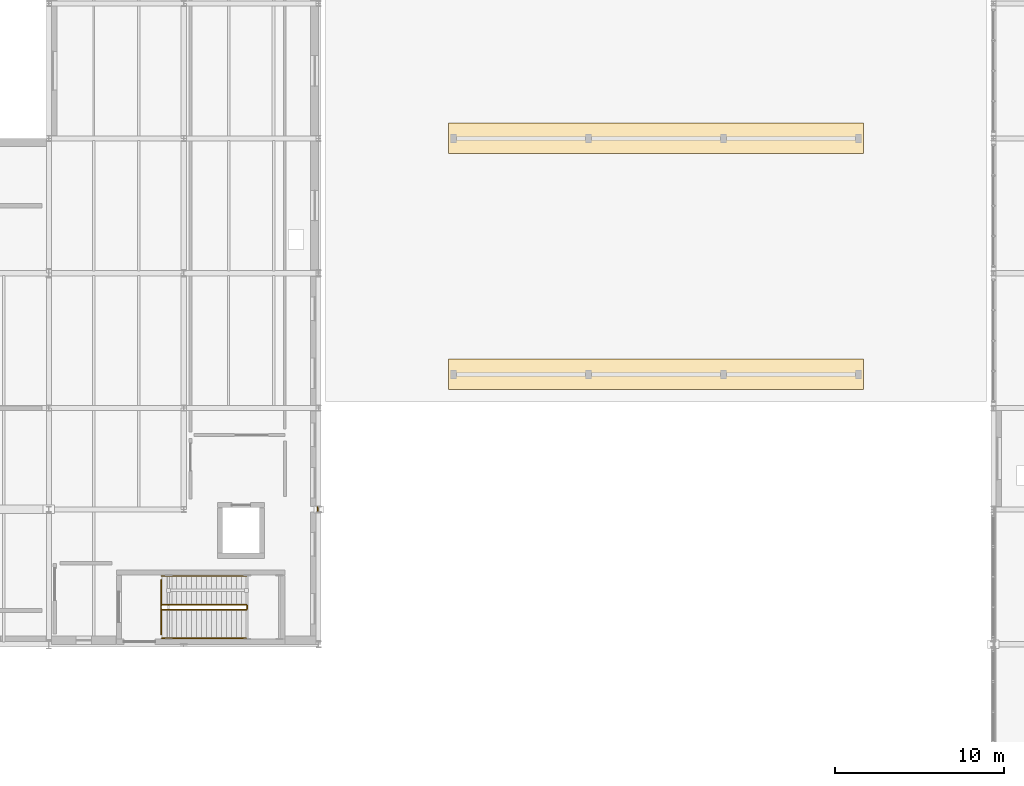
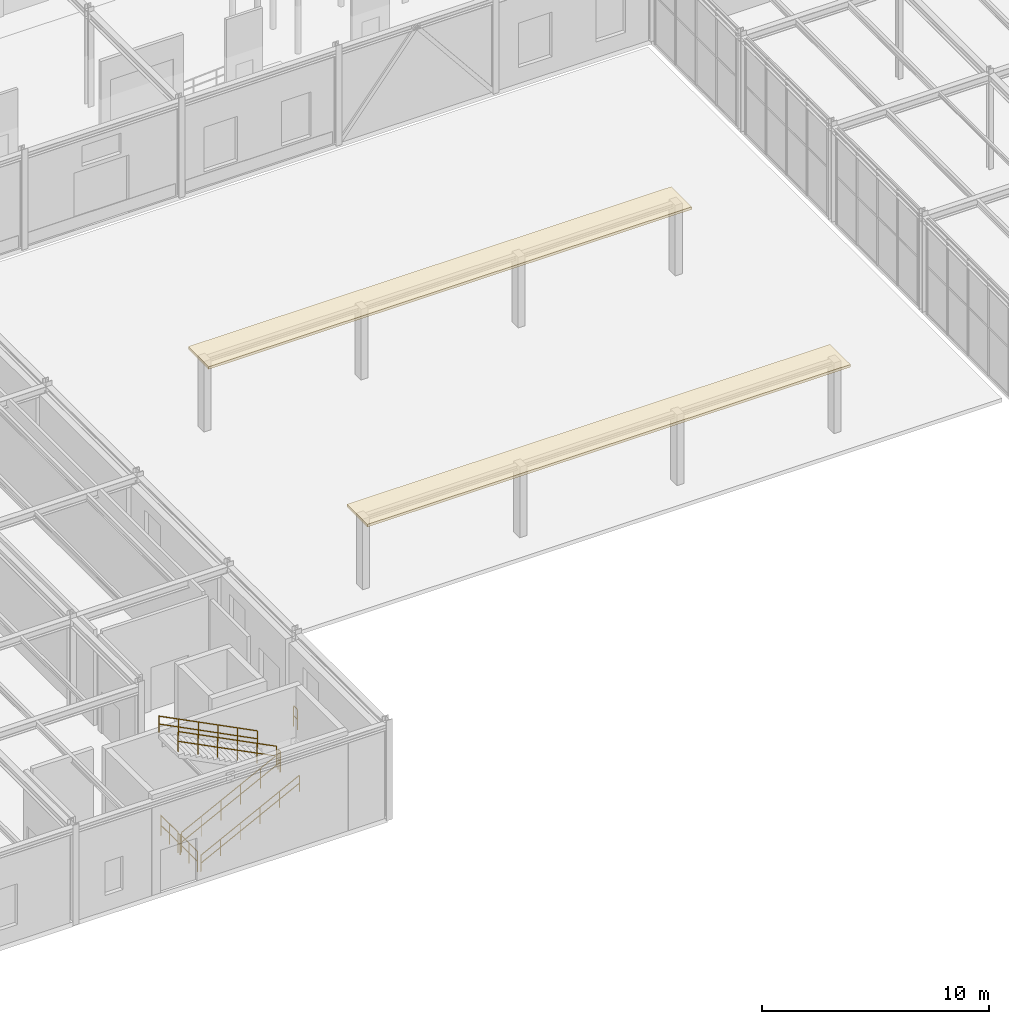
# One storey, part 110 of 129: 9 railings, 2 coverings.
"""IFC4 building model written with IfcOpenShell, lengths in metres."""

from ifc_helpers import new_model, si_unit, direction, frame, origin, origin_2d, place, context, subcontext, project, spatial, rectangle, circle, extrude, material, layer, layer_set, type_object, element, save


model = new_model("IFC4")

# Units and contexts
model_context = context("Model", 3, precision=1e-05, world=origin(), true_north=direction((0.0, 1.0)))
body_context = subcontext(model_context, "Body", "Model", "MODEL_VIEW")
ifc_project = project(units=[si_unit("LENGTHUNIT", "METRE"), si_unit("AREAUNIT", "SQUARE_METRE"), si_unit("VOLUMEUNIT", "CUBIC_METRE"), si_unit("PLANEANGLEUNIT", "RADIAN"), si_unit("MASSUNIT", "GRAM", prefix="KILO")], contexts=[model_context])

# Site, building, storey
site_placement = place(None, origin())
site = spatial("IfcSite", under=ifc_project, at=site_placement, CompositionType="ELEMENT")
building_placement = place(site_placement, origin())
building = spatial("IfcBuilding", under=site, at=building_placement, Name="Sundkrona Museum", CompositionType="ELEMENT")
storey_placement = place(building_placement, origin())
storey = spatial("IfcBuildingStorey", under=building, at=storey_placement, Name="L00", CompositionType="ELEMENT", Elevation=0.0)

# Coverings
ifc_material_1 = material(Name="Frost-Resistant Vitrified Stoneware Mosaic Cladding", Category="masonry")
ifc_layer = layer(ifc_material_1, 0.044921875)
ifc_layer_set = layer_set([ifc_layer], Name="Frost-Resistant Vitrified Stoneware Mosaic Cladding")
covering_type = type_object("IfcCoveringType", Name="COV-CLD-MOS", PredefinedType="CLADDING", material=ifc_layer_set)
for number, where, z_axis, x_axis, name in (
    (1, (60.0, 48.0, 3.80029296875), (0.0, 0.0, 1.0), (1.0, 0.0, 0.0), "Courtyard Cloister Colonnade Canopy CLN"),
    (2, (60.0, 62.0, 3.80029296875), (0.0, 0.0, 1.0), (1.0, 0.0, 0.0), "Courtyard Cloister Colonnade Canopy CLS"),
):
    element("IfcCovering", number, at=place(storey_placement, frame(where, z_axis=z_axis, x_axis=x_axis)), inside=storey, type_object=covering_type, Name=name, PredefinedType="CLADDING", context=body_context, shape_type="SweptSolid", body=[
        extrude(rectangle(XDim=24.60009765625, YDim=1.800048828125, at=origin_2d()), origin(), (0.0, 0.0, 1.0), 0.139892578125),
    ])

# Railings
ifc_material_2 = material(Name="Painted Steel S355J2 and Laminated Glass Balustrade", Category="steel")
railing_type_1 = type_object("IfcRailingType", Name="RL-GUARD-1100", PredefinedType="BALUSTRADE", material=ifc_material_2)
railing_1_placement = place(storey_placement, frame((30.699951171875, 34.050048828125, 0.14990234375)))
element("IfcRailing", 3, at=railing_1_placement, inside=storey, type_object=railing_type_1, Name="L00 ST-4 stair guard 1", PredefinedType="BALUSTRADE", context=body_context, shape_type="SweptSolid", body=[
    extrude(circle(Radius=0.02392578125, at=origin_2d()), frame((0.0, 0.0, 1.076171875), z_axis=(0.891386615937, 0.0, 0.453243754428), x_axis=(0.0, 1.0, 0.0)), (0.0, 0.0, 1.0), 5.626220703125),
    extrude(circle(Radius=0.02392578125, at=origin_2d()), frame((0.0, 0.0, 0.550048828125), z_axis=(0.891386615937, 0.0, 0.453243754428), x_axis=(0.0, 1.0, 0.0)), (0.0, 0.0, 1.0), 5.626220703125),
    extrude(circle(Radius=0.02099609375, at=origin_2d()), origin(), (0.0, 0.0, 1.0), 1.052001953125),
    extrude(circle(Radius=0.02099609375, at=origin_2d()), frame((1.0029296875, 0.0, 0.510009765625)), (0.0, 0.0, 1.0), 1.052001953125),
    extrude(circle(Radius=0.02099609375, at=origin_2d()), frame((2.006103515625, 0.0, 1.02001953125)), (0.0, 0.0, 1.0), 1.052001953125),
    extrude(circle(Radius=0.02099609375, at=origin_2d()), frame((3.009033203125, 0.0, 1.530029296875)), (0.0, 0.0, 1.0), 1.052001953125),
    extrude(circle(Radius=0.02099609375, at=origin_2d()), frame((4.01220703125, 0.0, 2.0400390625)), (0.0, 0.0, 1.0), 1.052001953125),
    extrude(circle(Radius=0.02099609375, at=origin_2d()), frame((5.01513671875, 0.0, 2.550048828125)), (0.0, 0.0, 1.0), 1.052001953125),
])
railing_2_placement = place(storey_placement, frame((35.764892578125, 34.10009765625, 2.699951171875)))
element("IfcRailing", 4, at=railing_2_placement, inside=storey, type_object=railing_type_1, Name="L00 ST-4 stair guard 2", PredefinedType="BALUSTRADE", context=body_context, shape_type="SweptSolid", body=[
    extrude(circle(Radius=0.02392578125, at=origin_2d()), frame((0.0, 0.0, 1.076171875), z_axis=(0.0, 1.0, 0.0), x_axis=(-1.0, 0.0, 0.0)), (0.0, 0.0, 1.0), 0.199951171875),
    extrude(circle(Radius=0.02392578125, at=origin_2d()), frame((0.0, 0.0, 0.550048828125), z_axis=(0.0, 1.0, 0.0), x_axis=(-1.0, 0.0, 0.0)), (0.0, 0.0, 1.0), 0.199951171875),
    extrude(circle(Radius=0.02099609375, at=origin_2d()), origin(), (0.0, 0.0, 1.0), 1.052001953125),
    extrude(circle(Radius=0.02099609375, at=origin_2d()), frame((0.0, 0.199951171875, 0.0)), (0.0, 0.0, 1.0), 1.052001953125),
])
railing_3_placement = place(storey_placement, frame((35.715087890625, 34.35009765625, 2.85009765625)))
element("IfcRailing", 5, at=railing_3_placement, inside=storey, type_object=railing_type_1, Name="L00 ST-4 stair guard 3", PredefinedType="BALUSTRADE", context=body_context, shape_type="SweptSolid", body=[
    extrude(circle(Radius=0.02392578125, at=origin_2d()), frame((0.0, 0.0, 1.076171875), z_axis=(-0.891404147206, 0.0, 0.453209274336), x_axis=(0.0, -1.0, 0.0)), (0.0, 0.0, 1.0), 5.626220703125),
    extrude(circle(Radius=0.02392578125, at=origin_2d()), frame((0.0, 0.0, 0.550048828125), z_axis=(-0.891404147206, 0.0, 0.453209274336), x_axis=(0.0, -1.0, 0.0)), (0.0, 0.0, 1.0), 5.626220703125),
    extrude(circle(Radius=0.02099609375, at=origin_2d()), origin(), (0.0, 0.0, 1.0), 1.052001953125),
    extrude(circle(Radius=0.02099609375, at=origin_2d()), frame((-1.0029296875, 0.0, 0.510009765625)), (0.0, 0.0, 1.0), 1.052001953125),
    extrude(circle(Radius=0.02099609375, at=origin_2d()), frame((-2.006103515625, 0.0, 1.02001953125)), (0.0, 0.0, 1.0), 1.052001953125),
    extrude(circle(Radius=0.02099609375, at=origin_2d()), frame((-3.009033203125, 0.0, 1.52978515625)), (0.0, 0.0, 1.0), 1.052001953125),
    extrude(circle(Radius=0.02099609375, at=origin_2d()), frame((-4.01220703125, 0.0, 2.039794921875)), (0.0, 0.0, 1.0), 1.052001953125),
    extrude(circle(Radius=0.02099609375, at=origin_2d()), frame((-5.01513671875, 0.0, 2.5498046875)), (0.0, 0.0, 1.0), 1.052001953125),
])
railing_4_placement = place(storey_placement, frame((30.64990234375, 34.10009765625, 0.0)))
element("IfcRailing", 6, at=railing_4_placement, inside=storey, type_object=railing_type_1, Name="L00 ST-4 stair guard 4", PredefinedType="BALUSTRADE", context=body_context, shape_type="SweptSolid", body=[
    extrude(circle(Radius=0.02392578125, at=origin_2d()), frame((0.0, 0.0, 1.076171875), z_axis=(0.0, 1.0, 0.0), x_axis=(-1.0, 0.0, 0.0)), (0.0, 0.0, 1.0), 0.199951171875),
    extrude(circle(Radius=0.02392578125, at=origin_2d()), frame((0.0, 0.0, 0.550048828125), z_axis=(0.0, 1.0, 0.0), x_axis=(-1.0, 0.0, 0.0)), (0.0, 0.0, 1.0), 0.199951171875),
    extrude(circle(Radius=0.02099609375, at=origin_2d()), origin(), (0.0, 0.0, 1.0), 1.052001953125),
    extrude(circle(Radius=0.02099609375, at=origin_2d()), frame((0.0, 0.199951171875, 0.0)), (0.0, 0.0, 1.0), 1.052001953125),
])
for number, where, name in (
    (7, (30.6650390625, 34.10009765625, 0.0), "L00 Edge Protection Balustrade 001"),
    (8, (30.6650390625, 35.820068359375, 0.0), "L00 Edge Protection Balustrade 002"),
):
    element("IfcRailing", number, at=place(storey_placement, frame(where)), inside=storey, type_object=railing_type_1, Name=name, PredefinedType="BALUSTRADE", context=body_context, shape_type="SweptSolid", body=[
        extrude(circle(Radius=0.02392578125, at=origin_2d()), frame((0.0, 0.0, 1.09619140625), z_axis=(0.0, -1.0, 0.0), x_axis=(1.0, 0.0, 0.0)), (0.0, 0.0, 1.0), 1.52001953125),
        extrude(circle(Radius=0.02392578125, at=origin_2d()), frame((0.0, 0.0, 0.56005859375), z_axis=(0.0, -1.0, 0.0), x_axis=(1.0, 0.0, 0.0)), (0.0, 0.0, 1.0), 1.52001953125),
        extrude(circle(Radius=0.02099609375, at=origin_2d()), origin(), (0.0, 0.0, 1.0), 1.072021484375),
        extrude(circle(Radius=0.02099609375, at=origin_2d()), frame((0.0, -0.760009765625, 0.0)), (0.0, 0.0, 1.0), 1.072021484375),
        extrude(circle(Radius=0.02099609375, at=origin_2d()), frame((0.0, -1.52001953125, 0.0)), (0.0, 0.0, 1.0), 1.072021484375),
    ])
railing_5_placement = place(storey_placement, frame((39.93994140625, 40.162109375, 0.0)))
element("IfcRailing", 9, at=railing_5_placement, inside=storey, type_object=railing_type_1, Name="L00 Edge Protection Balustrade 004", PredefinedType="BALUSTRADE", context=body_context, shape_type="SweptSolid", body=[
    extrude(circle(Radius=0.02392578125, at=origin_2d()), frame((0.0, 0.0, 1.09619140625), z_axis=(0.0, -1.0, 0.0), x_axis=(1.0, 0.0, 0.0)), (0.0, 0.0, 1.0), 0.32421875),
    extrude(circle(Radius=0.02392578125, at=origin_2d()), frame((0.0, 0.0, 0.56005859375), z_axis=(0.0, -1.0, 0.0), x_axis=(1.0, 0.0, 0.0)), (0.0, 0.0, 1.0), 0.32421875),
    extrude(circle(Radius=0.02099609375, at=origin_2d()), origin(), (0.0, 0.0, 1.0), 1.072021484375),
    extrude(circle(Radius=0.02099609375, at=origin_2d()), frame((0.0, -0.32421875, 0.0)), (0.0, 0.0, 1.0), 1.072021484375),
])
ifc_material_3 = material(Name="Brushed Bronze-Clad Steel Handrail", Category="steel")
railing_type_2 = type_object("IfcRailingType", Name="RL-HAND-900", PredefinedType="HANDRAIL", material=ifc_material_3)
railing_6_placement = place(storey_placement, frame((30.699951171875, 32.35009765625, 0.14990234375)))
element("IfcRailing", 10, at=railing_6_placement, inside=storey, type_object=railing_type_2, Name="L00 ST-4 stair handrail 1", PredefinedType="HANDRAIL", context=body_context, shape_type="SweptSolid", body=[
    extrude(circle(Radius=0.02392578125, at=origin_2d()), frame((0.0, 0.0, 0.8759765625), z_axis=(0.891386615937, 0.0, 0.453243754428), x_axis=(0.0, 1.0, 0.0)), (0.0, 0.0, 1.0), 5.626220703125),
    extrude(circle(Radius=0.02392578125, at=origin_2d()), frame((0.0, 0.0, 0.449951171875), z_axis=(0.891386615937, 0.0, 0.453243754428), x_axis=(0.0, 1.0, 0.0)), (0.0, 0.0, 1.0), 5.626220703125),
    extrude(circle(Radius=0.02099609375, at=origin_2d()), origin(), (0.0, 0.0, 1.0), 0.851806640625),
    extrude(circle(Radius=0.02099609375, at=origin_2d()), frame((1.0029296875, 0.0, 0.510009765625)), (0.0, 0.0, 1.0), 0.851806640625),
    extrude(circle(Radius=0.02099609375, at=origin_2d()), frame((2.006103515625, 0.0, 1.02001953125)), (0.0, 0.0, 1.0), 0.851806640625),
    extrude(circle(Radius=0.02099609375, at=origin_2d()), frame((3.009033203125, 0.0, 1.530029296875)), (0.0, 0.0, 1.0), 0.851806640625),
    extrude(circle(Radius=0.02099609375, at=origin_2d()), frame((4.01220703125, 0.0, 2.0400390625)), (0.0, 0.0, 1.0), 0.851806640625),
    extrude(circle(Radius=0.02099609375, at=origin_2d()), frame((5.01513671875, 0.0, 2.550048828125)), (0.0, 0.0, 1.0), 0.851806640625),
])
railing_7_placement = place(storey_placement, frame((35.715087890625, 36.050048828125, 2.85009765625)))
element("IfcRailing", 11, at=railing_7_placement, inside=storey, type_object=railing_type_2, Name="L00 ST-4 stair handrail 2", PredefinedType="HANDRAIL", context=body_context, shape_type="SweptSolid", body=[
    extrude(circle(Radius=0.02392578125, at=origin_2d()), frame((0.0, 0.0, 0.8759765625), z_axis=(-0.891404147206, 0.0, 0.453209274336), x_axis=(0.0, -1.0, 0.0)), (0.0, 0.0, 1.0), 5.626220703125),
    extrude(circle(Radius=0.02392578125, at=origin_2d()), frame((0.0, 0.0, 0.449951171875), z_axis=(-0.891404147206, 0.0, 0.453209274336), x_axis=(0.0, -1.0, 0.0)), (0.0, 0.0, 1.0), 5.626220703125),
    extrude(circle(Radius=0.02099609375, at=origin_2d()), origin(), (0.0, 0.0, 1.0), 0.851806640625),
    extrude(circle(Radius=0.02099609375, at=origin_2d()), frame((-1.0029296875, 0.0, 0.510009765625)), (0.0, 0.0, 1.0), 0.851806640625),
    extrude(circle(Radius=0.02099609375, at=origin_2d()), frame((-2.006103515625, 0.0, 1.02001953125)), (0.0, 0.0, 1.0), 0.851806640625),
    extrude(circle(Radius=0.02099609375, at=origin_2d()), frame((-3.009033203125, 0.0, 1.52978515625)), (0.0, 0.0, 1.0), 0.851806640625),
    extrude(circle(Radius=0.02099609375, at=origin_2d()), frame((-4.01220703125, 0.0, 2.039794921875)), (0.0, 0.0, 1.0), 0.851806640625),
    extrude(circle(Radius=0.02099609375, at=origin_2d()), frame((-5.01513671875, 0.0, 2.5498046875)), (0.0, 0.0, 1.0), 0.851806640625),
])

save(model, "model.ifc")
